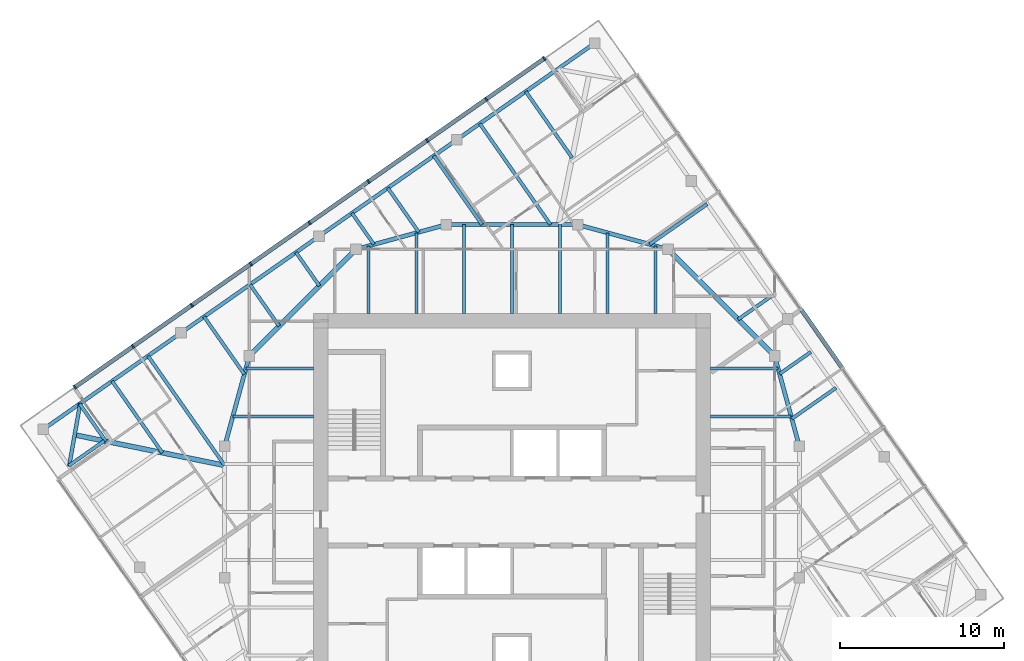
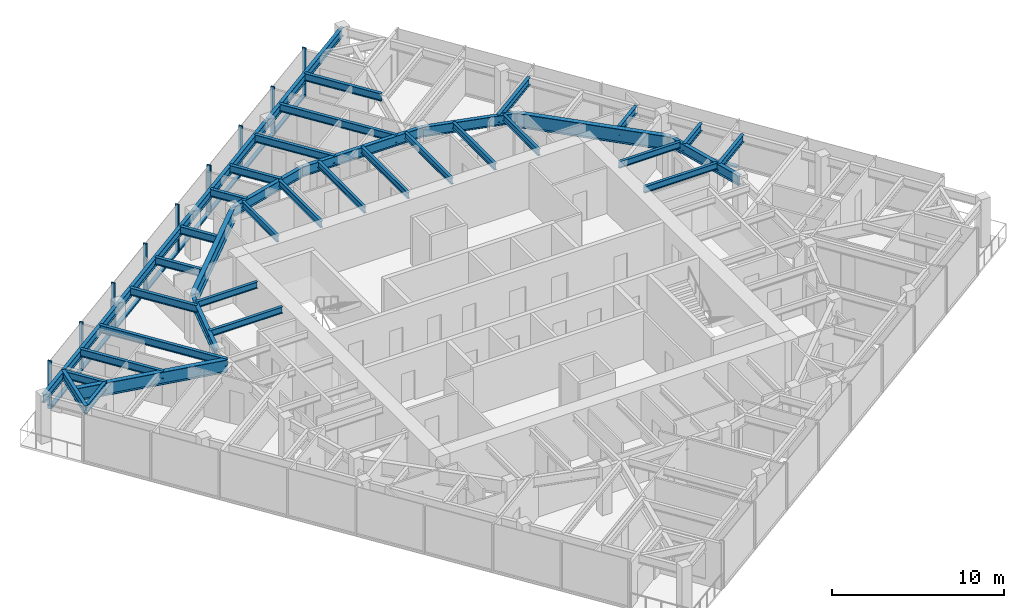
# One storey, part 4 of 12: 40 beams, 18 members, 2 elements without a shape of their own.
"""IFC4 building model written with IfcOpenShell, lengths in metres."""

from ifc_helpers import new_model, si_unit, direction, frame, origin, origin_2d, place, context, subcontext, project, spatial, rectangle, i_section, extrude, material, material_profile, profile_set, type_object, element, aggregate, save


model = new_model("IFC4")

# Units and contexts
model_context = context("Model", 3, precision=1e-05, world=origin(), true_north=direction((0.0, 1.0)))
body_context = subcontext(model_context, "Body", "Model", "MODEL_VIEW")
ifc_project = project(units=[si_unit("LENGTHUNIT", "METRE"), si_unit("AREAUNIT", "SQUARE_METRE"), si_unit("VOLUMEUNIT", "CUBIC_METRE"), si_unit("PLANEANGLEUNIT", "RADIAN"), si_unit("MASSUNIT", "GRAM", prefix="KILO")], contexts=[model_context])

# Site, building, storey
site_placement = place(None, origin())
site = spatial("IfcSite", under=ifc_project, at=site_placement, CompositionType="ELEMENT")
building_placement = place(site_placement, origin())
building = spatial("IfcBuilding", under=site, at=building_placement, Name="Torsade Residences", CompositionType="ELEMENT")
storey_placement = place(building_placement, frame((0.0, 0.0, 250.60009765625)))
storey = spatial("IfcBuildingStorey", under=building, at=storey_placement, Name="L69", CompositionType="ELEMENT", Elevation=250.60009765625)

# Beams
ifc_material_1 = material(Name="Steel grade 300", Category="steel")
ifc_material_profile_1 = material_profile(ifc_material_1, i_section(OverallWidth=0.300048828125, OverallDepth=0.89990234375, WebThickness=0.011962890625, FlangeThickness=0.02490234375, at=origin_2d()), Name="900WB175")
ifc_profile_set_1 = profile_set([ifc_material_profile_1], Name="Steel grade 300")
beam_type_1 = type_object("IfcBeamType", Name="CORNER GIRDER 900WB175", PredefinedType="BEAM", material=ifc_profile_set_1)
beam_1_placement = place(storey_placement, frame((13.364013671875, 34.696533203125, 2.7998046875), z_axis=(0.979880626756, -0.199584461589, 0.0), x_axis=(0.199584461589, 0.979880626756, 0.0)))
element("IfcBeam", 1, at=beam_1_placement, inside=storey, type_object=beam_type_1, Name="Corner girder 13 L70", PredefinedType="BEAM", context=body_context, shape_type="SweptSolid", body=[
    extrude(i_section(OverallWidth=0.300048828125, OverallDepth=0.89990234375, WebThickness=0.011962890625, FlangeThickness=0.02490234375, at=origin_2d()), origin(), (0.0, 0.0, 1.0), 9.323486328125),
])
ifc_material_2 = material(Name="Steel grade 300", Category="steel")
ifc_material_profile_2 = material_profile(ifc_material_2, i_section(OverallWidth=0.22802734375, OverallDepth=0.60205078125, WebThickness=0.010498046875, FlangeThickness=0.014892578125, FilletRadius=0.013916015625, at=origin_2d()), Name="610UB101")
ifc_profile_set_2 = profile_set([ifc_material_profile_2], Name="Steel grade 300")
beam_type_2 = type_object("IfcBeamType", Name="CORNER TRIMMER 610UB101", PredefinedType="BEAM", material=ifc_profile_set_2)
beam_2_placement = place(storey_placement, frame((13.0263671875, 32.78173828125, 2.948974609375), z_axis=(0.173645660267, 0.984808196894, 0.0), x_axis=(-0.984808196894, 0.173645660267, 0.0)))
element("IfcBeam", 2, at=beam_2_placement, inside=storey, type_object=beam_type_2, Name="Corner trimmer 13 L70", PredefinedType="BEAM", context=body_context, shape_type="SweptSolid", body=[
    extrude(i_section(OverallWidth=0.22802734375, OverallDepth=0.60205078125, WebThickness=0.010498046875, FlangeThickness=0.014892578125, FilletRadius=0.013916015625, at=origin_2d()), origin(), (0.0, 0.0, 1.0), 3.888916015625),
])
ifc_material_3 = material(Name="Steel grade 300", Category="steel")
ifc_material_profile_3 = material_profile(ifc_material_3, i_section(OverallWidth=0.22900390625, OverallDepth=0.612060546875, WebThickness=0.011962890625, FlangeThickness=0.01953125, FilletRadius=0.013916015625, at=origin_2d()), Name="610UB125")
ifc_profile_set_3 = profile_set([ifc_material_profile_3], Name="Steel grade 300")
beam_type_3 = type_object("IfcBeamType", Name="EDGE BEAM 610UB125", PredefinedType="SPANDREL", material=ifc_profile_set_3)
for number, where, z_axis, x_axis, name in (
    (3, (45.0341796875, 58.551025390625, 2.94384765625), (-0.819150225126, -0.573579034377, 0.0), (0.573579034377, -0.819150225126, 0.0), "Edge beam 09 L70"),
    (4, (36.637939453125, 52.671875, 2.94384765625), (-0.819150225126, -0.573579034377, 0.0), (0.573579034377, -0.819150225126, 0.0), "Edge beam 10 L70"),
    (5, (28.24169921875, 46.792724609375, 2.94384765625), (-0.819150225126, -0.573579034377, 0.0), (0.573579034377, -0.819150225126, 0.0), "Edge beam 11 L70"),
):
    element("IfcBeam", number, at=place(storey_placement, frame(where, z_axis=z_axis, x_axis=x_axis)), inside=storey, type_object=beam_type_3, Name=name, PredefinedType="SPANDREL", context=body_context, shape_type="SweptSolid", body=[
        extrude(i_section(OverallWidth=0.22900390625, OverallDepth=0.612060546875, WebThickness=0.011962890625, FlangeThickness=0.01953125, FilletRadius=0.013916015625, at=origin_2d()), origin(), (0.0, 0.0, 1.0), 10.25),
    ])
beam_3_placement = place(storey_placement, frame((19.845458984375, 40.91357421875, 2.94384765625), z_axis=(-0.819146870247, -0.573583825578, 0.0), x_axis=(0.573583825578, -0.819146870247, 0.0)))
element("IfcBeam", 6, at=beam_3_placement, inside=storey, type_object=beam_type_3, Name="Edge beam 12 L70", PredefinedType="SPANDREL", context=body_context, shape_type="SweptSolid", body=[
    extrude(i_section(OverallWidth=0.22900390625, OverallDepth=0.612060546875, WebThickness=0.011962890625, FlangeThickness=0.01953125, FilletRadius=0.013916015625, at=origin_2d()), origin(), (0.0, 0.0, 1.0), 10.250244140625),
])

# Curtain wall, members
ifc_material_4 = material(Name="Aluminium and glass", Category="aluminium")
curtain_wall_type = type_object("IfcCurtainWallType", Name="FRITTED GLASS CURTAIN WALL HIGH ZONE", PredefinedType="NOTDEFINED", material=ifc_material_4)
curtain_wall_1_placement = place(storey_placement, origin())
curtain_wall_1 = element("IfcCurtainWall", 7, at=curtain_wall_1_placement, inside=storey, type_object=curtain_wall_type, Name="Curtain wall L69 face 7", PredefinedType="NOTDEFINED")
ifc_material_5 = material(Name="Aluminium mullion", Category="aluminium")
ifc_material_profile_4 = material_profile(ifc_material_5, rectangle(XDim=0.25, YDim=0.10009765625, at=origin_2d()), Name="HIGH ZONE CURTAIN WALL MULLION 250x100")
ifc_profile_set_4 = profile_set([ifc_material_profile_4], Name="Aluminium mullion")
member_type_1 = type_object("IfcMemberType", Name="HIGH ZONE CURTAIN WALL MULLION 250x100", PredefinedType="MULLION", material=ifc_profile_set_4)
member_1_placement = place(storey_placement, frame((41.96240234375, 57.62060546875, 0.0), z_axis=(0.0, 0.0, 1.0), x_axis=(0.573576457682, -0.819152029353, 0.0)))
member_1 = element("IfcMember", 8, at=member_1_placement, type_object=member_type_1, Name="Mullion 1", PredefinedType="MULLION", context=body_context, shape_type="SweptSolid", body=[
    extrude(rectangle(XDim=0.25, YDim=0.10009765625, at=origin_2d()), origin(), (0.0, 0.0, 1.0), 3.39990234375),
])
member_2_placement = place(storey_placement, frame((38.41943359375, 55.139892578125, 0.0), z_axis=(0.0, 0.0, 1.0), x_axis=(0.573576457682, -0.819152029353, 0.0)))
member_2 = element("IfcMember", 9, at=member_2_placement, type_object=member_type_1, Name="Mullion 2", PredefinedType="MULLION", context=body_context, shape_type="SweptSolid", body=[
    extrude(rectangle(XDim=0.25, YDim=0.10009765625, at=origin_2d()), origin(), (0.0, 0.0, 1.0), 3.39990234375),
])
member_3_placement = place(storey_placement, frame((34.835693359375, 52.630615234375, 0.0), z_axis=(0.0, 0.0, 1.0), x_axis=(0.573576457682, -0.819152029353, 0.0)))
member_3 = element("IfcMember", 10, at=member_3_placement, type_object=member_type_1, Name="Mullion 3", PredefinedType="MULLION", context=body_context, shape_type="SweptSolid", body=[
    extrude(rectangle(XDim=0.25, YDim=0.10009765625, at=origin_2d()), origin(), (0.0, 0.0, 1.0), 3.39990234375),
])
member_4_placement = place(storey_placement, frame((31.251953125, 50.12109375, 0.0), z_axis=(0.0, 0.0, 1.0), x_axis=(0.573576457682, -0.819152029353, 0.0)))
member_4 = element("IfcMember", 11, at=member_4_placement, type_object=member_type_1, Name="Mullion 4", PredefinedType="MULLION", context=body_context, shape_type="SweptSolid", body=[
    extrude(rectangle(XDim=0.25, YDim=0.10009765625, at=origin_2d()), origin(), (0.0, 0.0, 1.0), 3.39990234375),
])
member_5_placement = place(storey_placement, frame((27.668212890625, 47.61181640625, 0.0), z_axis=(0.0, 0.0, 1.0), x_axis=(0.573576457682, -0.819152029353, 0.0)))
member_5 = element("IfcMember", 12, at=member_5_placement, type_object=member_type_1, Name="Mullion 5", PredefinedType="MULLION", context=body_context, shape_type="SweptSolid", body=[
    extrude(rectangle(XDim=0.25, YDim=0.10009765625, at=origin_2d()), origin(), (0.0, 0.0, 1.0), 3.39990234375),
])
member_6_placement = place(storey_placement, frame((24.084228515625, 45.102294921875, 0.0), z_axis=(0.0, 0.0, 1.0), x_axis=(0.573576457682, -0.819152029353, 0.0)))
member_6 = element("IfcMember", 13, at=member_6_placement, type_object=member_type_1, Name="Mullion 6", PredefinedType="MULLION", context=body_context, shape_type="SweptSolid", body=[
    extrude(rectangle(XDim=0.25, YDim=0.10009765625, at=origin_2d()), origin(), (0.0, 0.0, 1.0), 3.39990234375),
])
member_7_placement = place(storey_placement, frame((20.50048828125, 42.593017578125, 0.0), z_axis=(0.0, 0.0, 1.0), x_axis=(0.573576457682, -0.819152029353, 0.0)))
member_7 = element("IfcMember", 14, at=member_7_placement, type_object=member_type_1, Name="Mullion 7", PredefinedType="MULLION", context=body_context, shape_type="SweptSolid", body=[
    extrude(rectangle(XDim=0.25, YDim=0.10009765625, at=origin_2d()), origin(), (0.0, 0.0, 1.0), 3.39990234375),
])
member_8_placement = place(storey_placement, frame((16.916748046875, 40.08349609375, 0.0), z_axis=(0.0, 0.0, 1.0), x_axis=(0.573576457682, -0.819152029353, 0.0)))
member_8 = element("IfcMember", 15, at=member_8_placement, type_object=member_type_1, Name="Mullion 8", PredefinedType="MULLION", context=body_context, shape_type="SweptSolid", body=[
    extrude(rectangle(XDim=0.25, YDim=0.10009765625, at=origin_2d()), origin(), (0.0, 0.0, 1.0), 3.39990234375),
])
member_9_placement = place(storey_placement, frame((13.3740234375, 37.602783203125, 0.0), z_axis=(0.0, 0.0, 1.0), x_axis=(0.573576457682, -0.819152029353, 0.0)))
member_9 = element("IfcMember", 16, at=member_9_placement, type_object=member_type_1, Name="Mullion 9", PredefinedType="MULLION", context=body_context, shape_type="SweptSolid", body=[
    extrude(rectangle(XDim=0.25, YDim=0.10009765625, at=origin_2d()), origin(), (0.0, 0.0, 1.0), 3.39990234375),
])

# Curtain wall, member
curtain_wall_2_placement = place(storey_placement, origin())
curtain_wall_2 = element("IfcCurtainWall", 17, at=curtain_wall_2_placement, inside=storey, type_object=curtain_wall_type, Name="Curtain wall L69 face 4", PredefinedType="NOTDEFINED")
ifc_material_6 = material(Name="Aluminium transom", Category="aluminium")
ifc_material_profile_5 = material_profile(ifc_material_6, rectangle(XDim=0.25, YDim=0.1201171875, at=origin_2d()), Name="HIGH ZONE CURTAIN WALL TRANSOM 250x120")
ifc_profile_set_5 = profile_set([ifc_material_profile_5], Name="Aluminium transom")
member_type_2 = type_object("IfcMemberType", Name="HIGH ZONE CURTAIN WALL TRANSOM 250x120", PredefinedType="USERDEFINED", material=ifc_profile_set_5)
member_10_placement = place(storey_placement, frame((60.092529296875, 38.7890625, 0.059814453125), z_axis=(-0.57358498433, 0.819146058863, 0.0), x_axis=(-0.819146058863, -0.57358498433, 0.0)))
member_10 = element("IfcMember", 18, at=member_10_placement, type_object=member_type_2, Name="Transom 4.1", ObjectType="TRANSOM", PredefinedType="USERDEFINED", context=body_context, shape_type="SweptSolid", body=[
    extrude(rectangle(XDim=0.25, YDim=0.1201171875, at=origin_2d()), origin(), (0.0, 0.0, 1.0), 4.275146484375),
])
aggregate(curtain_wall_2, [member_10])

# Member
member_11_placement = place(storey_placement, frame((41.92138671875, 57.592041015625, 0.059814453125), z_axis=(-0.819155901234, -0.573570928023, 0.0), x_axis=(0.573570928023, -0.819155901234, 0.0)))
member_11 = element("IfcMember", 19, at=member_11_placement, type_object=member_type_2, Name="Transom 1.1", ObjectType="TRANSOM", PredefinedType="USERDEFINED", context=body_context, shape_type="SweptSolid", body=[
    extrude(rectangle(XDim=0.25, YDim=0.1201171875, at=origin_2d()), origin(), (0.0, 0.0, 1.0), 4.22509765625),
])

member_12_placement = place(storey_placement, frame((38.37841796875, 55.111328125, 0.059814453125), z_axis=(-0.819127269283, -0.573611817101, 0.0), x_axis=(0.573611817101, -0.819127269283, 0.0)))
member_12 = element("IfcMember", 20, at=member_12_placement, type_object=member_type_2, Name="Transom 2.1", ObjectType="TRANSOM", PredefinedType="USERDEFINED", context=body_context, shape_type="SweptSolid", body=[
    extrude(rectangle(XDim=0.25, YDim=0.1201171875, at=origin_2d()), origin(), (0.0, 0.0, 1.0), 4.27490234375),
])

member_13_placement = place(storey_placement, frame((34.794677734375, 52.601806640625, 0.059814453125), z_axis=(-0.819154102984, -0.573573496219, 0.0), x_axis=(0.573573496219, -0.819154102984, 0.0)))
member_13 = element("IfcMember", 21, at=member_13_placement, type_object=member_type_2, Name="Transom 3.1", ObjectType="TRANSOM", PredefinedType="USERDEFINED", context=body_context, shape_type="SweptSolid", body=[
    extrude(rectangle(XDim=0.25, YDim=0.1201171875, at=origin_2d()), origin(), (0.0, 0.0, 1.0), 4.27490234375),
])

member_14_placement = place(storey_placement, frame((31.2109375, 50.092529296875, 0.059814453125), z_axis=(-0.819146058863, -0.57358498433, 0.0), x_axis=(0.57358498433, -0.819146058863, 0.0)))
member_14 = element("IfcMember", 22, at=member_14_placement, type_object=member_type_2, Name="Transom 4.1", ObjectType="TRANSOM", PredefinedType="USERDEFINED", context=body_context, shape_type="SweptSolid", body=[
    extrude(rectangle(XDim=0.25, YDim=0.1201171875, at=origin_2d()), origin(), (0.0, 0.0, 1.0), 4.275146484375),
])

member_15_placement = place(storey_placement, frame((27.627197265625, 47.5830078125, 0.059814453125), z_axis=(-0.81917289067, -0.573546663483, 0.0), x_axis=(0.573546663483, -0.81917289067, 0.0)))
member_15 = element("IfcMember", 23, at=member_15_placement, type_object=member_type_2, Name="Transom 5.1", ObjectType="TRANSOM", PredefinedType="USERDEFINED", context=body_context, shape_type="SweptSolid", body=[
    extrude(rectangle(XDim=0.25, YDim=0.1201171875, at=origin_2d()), origin(), (0.0, 0.0, 1.0), 4.27490234375),
])

member_16_placement = place(storey_placement, frame((24.04345703125, 45.07373046875, 0.059814453125), z_axis=(-0.819146058863, -0.57358498433, 0.0), x_axis=(0.57358498433, -0.819146058863, 0.0)))
member_16 = element("IfcMember", 24, at=member_16_placement, type_object=member_type_2, Name="Transom 6.1", ObjectType="TRANSOM", PredefinedType="USERDEFINED", context=body_context, shape_type="SweptSolid", body=[
    extrude(rectangle(XDim=0.25, YDim=0.1201171875, at=origin_2d()), origin(), (0.0, 0.0, 1.0), 4.275146484375),
])

member_17_placement = place(storey_placement, frame((20.45947265625, 42.564208984375, 0.059814453125), z_axis=(-0.819154102984, -0.573573496219, 0.0), x_axis=(0.573573496219, -0.819154102984, 0.0)))
member_17 = element("IfcMember", 25, at=member_17_placement, type_object=member_type_2, Name="Transom 7.1", ObjectType="TRANSOM", PredefinedType="USERDEFINED", context=body_context, shape_type="SweptSolid", body=[
    extrude(rectangle(XDim=0.25, YDim=0.1201171875, at=origin_2d()), origin(), (0.0, 0.0, 1.0), 4.27490234375),
])

member_18_placement = place(storey_placement, frame((16.875732421875, 40.054931640625, 0.059814453125), z_axis=(-0.819155901234, -0.573570928023, 0.0), x_axis=(0.573570928023, -0.819155901234, 0.0)))
member_18 = element("IfcMember", 26, at=member_18_placement, type_object=member_type_2, Name="Transom 8.1", ObjectType="TRANSOM", PredefinedType="USERDEFINED", context=body_context, shape_type="SweptSolid", body=[
    extrude(rectangle(XDim=0.25, YDim=0.1201171875, at=origin_2d()), origin(), (0.0, 0.0, 1.0), 4.22509765625),
])

aggregate(curtain_wall_1, [member_1, member_2, member_3, member_4, member_5, member_6, member_7, member_8, member_9, member_11, member_12, member_13, member_14, member_15, member_16, member_17, member_18])

# Beams
ifc_material_7 = material(Name="Steel grade 300", Category="steel")
ifc_material_profile_6 = material_profile(ifc_material_7, i_section(OverallWidth=0.18994140625, OverallDepth=0.4541015625, WebThickness=0.008544921875, FlangeThickness=0.0126953125, FilletRadius=0.011474609375, at=origin_2d()), Name="460UB67.1")
ifc_profile_set_6 = profile_set([ifc_material_profile_6], Name="Steel grade 300")
beam_type_4 = type_object("IfcBeamType", Name="INNER FLOOR BEAM 460UB67.1", PredefinedType="JOIST", material=ifc_profile_set_6)
beam_4_placement = place(storey_placement, frame((31.262451171875, 42.10009765625, 3.02294921875), z_axis=(0.0, 1.0, 0.0), x_axis=(-1.0, 0.0, 0.0)))
element("IfcBeam", 27, at=beam_4_placement, inside=storey, type_object=beam_type_4, Name="Inner floor beam IN01 L70", PredefinedType="JOIST", context=body_context, shape_type="SweptSolid", body=[
    extrude(i_section(OverallWidth=0.18994140625, OverallDepth=0.4541015625, WebThickness=0.008544921875, FlangeThickness=0.0126953125, FilletRadius=0.011474609375, at=origin_2d()), origin(), (0.0, 0.0, 1.0), 4.10791015625),
])
beam_5_placement = place(storey_placement, frame((34.175048828125, 42.10009765625, 3.02294921875), z_axis=(0.0, 1.0, 0.0), x_axis=(-1.0, 0.0, 0.0)))
element("IfcBeam", 28, at=beam_5_placement, inside=storey, type_object=beam_type_4, Name="Inner floor beam IN02 L70", PredefinedType="JOIST", context=body_context, shape_type="SweptSolid", body=[
    extrude(i_section(OverallWidth=0.18994140625, OverallDepth=0.4541015625, WebThickness=0.008544921875, FlangeThickness=0.0126953125, FilletRadius=0.011474609375, at=origin_2d()), origin(), (0.0, 0.0, 1.0), 4.902099609375),
])
for number, where, z_axis, x_axis, name in (
    (29, (37.08740234375, 42.10009765625, 3.02294921875), (0.0, 1.0, 0.0), (-1.0, 0.0, 0.0), "Inner floor beam IN03 L70"),
    (30, (40.0, 42.10009765625, 3.02294921875), (0.0, 1.0, 0.0), (-1.0, 0.0, 0.0), "Inner floor beam IN04 L70"),
    (31, (42.91259765625, 42.10009765625, 3.02294921875), (0.0, 1.0, 0.0), (-1.0, 0.0, 0.0), "Inner floor beam IN05 L70"),
):
    element("IfcBeam", number, at=place(storey_placement, frame(where, z_axis=z_axis, x_axis=x_axis)), inside=storey, type_object=beam_type_4, Name=name, PredefinedType="JOIST", context=body_context, shape_type="SweptSolid", body=[
        extrude(i_section(OverallWidth=0.18994140625, OverallDepth=0.4541015625, WebThickness=0.008544921875, FlangeThickness=0.0126953125, FilletRadius=0.011474609375, at=origin_2d()), origin(), (0.0, 0.0, 1.0), 5.39990234375),
    ])
beam_6_placement = place(storey_placement, frame((45.824951171875, 42.10009765625, 3.02294921875), z_axis=(0.0, 1.0, 0.0), x_axis=(-1.0, 0.0, 0.0)))
element("IfcBeam", 32, at=beam_6_placement, inside=storey, type_object=beam_type_4, Name="Inner floor beam IN06 L70", PredefinedType="JOIST", context=body_context, shape_type="SweptSolid", body=[
    extrude(i_section(OverallWidth=0.18994140625, OverallDepth=0.4541015625, WebThickness=0.008544921875, FlangeThickness=0.0126953125, FilletRadius=0.011474609375, at=origin_2d()), origin(), (0.0, 0.0, 1.0), 4.902099609375),
])
beam_7_placement = place(storey_placement, frame((48.737548828125, 42.10009765625, 3.02294921875), z_axis=(0.0, 1.0, 0.0), x_axis=(-1.0, 0.0, 0.0)))
element("IfcBeam", 33, at=beam_7_placement, inside=storey, type_object=beam_type_4, Name="Inner floor beam IN07 L70", PredefinedType="JOIST", context=body_context, shape_type="SweptSolid", body=[
    extrude(i_section(OverallWidth=0.18994140625, OverallDepth=0.4541015625, WebThickness=0.008544921875, FlangeThickness=0.0126953125, FilletRadius=0.011474609375, at=origin_2d()), origin(), (0.0, 0.0, 1.0), 4.10791015625),
])
beam_8_placement = place(storey_placement, frame((52.10009765625, 35.824951171875, 3.02294921875), z_axis=(1.0, 0.0, 0.0), x_axis=(0.0, 1.0, 0.0)))
element("IfcBeam", 34, at=beam_8_placement, inside=storey, type_object=beam_type_4, Name="Inner floor beam IE06 L70", PredefinedType="JOIST", context=body_context, shape_type="SweptSolid", body=[
    extrude(i_section(OverallWidth=0.18994140625, OverallDepth=0.4541015625, WebThickness=0.008544921875, FlangeThickness=0.0126953125, FilletRadius=0.011474609375, at=origin_2d()), origin(), (0.0, 0.0, 1.0), 4.902099609375),
])
for number, where, z_axis, x_axis, name in (
    (35, (52.10009765625, 38.737548828125, 3.02294921875), (1.0, 0.0, 0.0), (0.0, 1.0, 0.0), "Inner floor beam IE07 L70"),
    (36, (27.89990234375, 38.737548828125, 3.02294921875), (-1.0, 0.0, 0.0), (0.0, -1.0, 0.0), "Inner floor beam IW01 L70"),
):
    element("IfcBeam", number, at=place(storey_placement, frame(where, z_axis=z_axis, x_axis=x_axis)), inside=storey, type_object=beam_type_4, Name=name, PredefinedType="JOIST", context=body_context, shape_type="SweptSolid", body=[
        extrude(i_section(OverallWidth=0.18994140625, OverallDepth=0.4541015625, WebThickness=0.008544921875, FlangeThickness=0.0126953125, FilletRadius=0.011474609375, at=origin_2d()), origin(), (0.0, 0.0, 1.0), 4.10791015625),
    ])
beam_9_placement = place(storey_placement, frame((27.89990234375, 35.824951171875, 3.02294921875), z_axis=(-1.0, 0.0, 0.0), x_axis=(0.0, -1.0, 0.0)))
element("IfcBeam", 37, at=beam_9_placement, inside=storey, type_object=beam_type_4, Name="Inner floor beam IW02 L70", PredefinedType="JOIST", context=body_context, shape_type="SweptSolid", body=[
    extrude(i_section(OverallWidth=0.18994140625, OverallDepth=0.4541015625, WebThickness=0.008544921875, FlangeThickness=0.0126953125, FilletRadius=0.011474609375, at=origin_2d()), origin(), (0.0, 0.0, 1.0), 4.902099609375),
])
ifc_material_8 = material(Name="Steel grade 300", Category="steel")
ifc_material_profile_7 = material_profile(ifc_material_8, i_section(OverallWidth=0.300048828125, OverallDepth=1.0, WebThickness=0.01611328125, FlangeThickness=0.028076171875, at=origin_2d()), Name="1000WB215")
ifc_profile_set_7 = profile_set([ifc_material_profile_7], Name="Steel grade 300")
beam_type_5 = type_object("IfcBeamType", Name="RING CORNER GIRDER 1000WB215", PredefinedType="BEAM", material=ifc_profile_set_7)
for number, where, z_axis, x_axis, name in (
    (38, (56.0, 39.5, 2.75), (-0.707106781187, 0.707106781187, 0.0), (-0.707106781187, -0.707106781187, 0.0), "Ring girder IR03 L70"),
    (39, (30.5, 46.0, 2.75), (-0.707106781187, -0.707106781187, 0.0), (0.707106781187, -0.707106781187, 0.0), "Ring girder IR07 L70"),
):
    element("IfcBeam", number, at=place(storey_placement, frame(where, z_axis=z_axis, x_axis=x_axis)), inside=storey, type_object=beam_type_5, Name=name, PredefinedType="BEAM", context=body_context, shape_type="SweptSolid", body=[
        extrude(i_section(OverallWidth=0.300048828125, OverallDepth=1.0, WebThickness=0.01611328125, FlangeThickness=0.028076171875, at=origin_2d()), origin(), (0.0, 0.0, 1.0), 9.1923828125),
    ])
ifc_material_9 = material(Name="Steel grade 300", Category="steel")
ifc_material_profile_8 = material_profile(ifc_material_9, i_section(OverallWidth=0.25, OverallDepth=0.699951171875, WebThickness=0.010009765625, FlangeThickness=0.02001953125, at=origin_2d()), Name="700WB130")
ifc_profile_set_8 = profile_set([ifc_material_profile_8], Name="Steel grade 300")
beam_type_6 = type_object("IfcBeamType", Name="RING GIRDER 700WB130", PredefinedType="BEAM", material=ifc_profile_set_8)
for number, where, z_axis, x_axis, name in (
    (40, (57.5, 34.0, 2.89990234375), (-0.263117405792, 0.964763821238, 0.0), (-0.964763821238, -0.263117405792, 0.0), "Ring girder IR02 L70"),
    (41, (49.5, 46.0, 2.89990234375), (-0.964763821238, 0.263117405792, 0.0), (-0.263117405792, -0.964763821238, 0.0), "Ring girder IR04 L70"),
):
    element("IfcBeam", number, at=place(storey_placement, frame(where, z_axis=z_axis, x_axis=x_axis)), inside=storey, type_object=beam_type_6, Name=name, PredefinedType="BEAM", context=body_context, shape_type="SweptSolid", body=[
        extrude(i_section(OverallWidth=0.25, OverallDepth=0.699951171875, WebThickness=0.010009765625, FlangeThickness=0.02001953125, at=origin_2d()), origin(), (0.0, 0.0, 1.0), 5.700927734375),
    ])
beam_10_placement = place(storey_placement, frame((44.0, 47.5, 2.89990234375), z_axis=(-1.0, 0.0, 0.0), x_axis=(0.0, -1.0, 0.0)))
element("IfcBeam", 42, at=beam_10_placement, inside=storey, type_object=beam_type_6, Name="Ring girder IR05 L70", PredefinedType="BEAM", context=body_context, shape_type="SweptSolid", body=[
    extrude(i_section(OverallWidth=0.25, OverallDepth=0.699951171875, WebThickness=0.010009765625, FlangeThickness=0.02001953125, at=origin_2d()), origin(), (0.0, 0.0, 1.0), 8.0),
])
for number, where, z_axis, x_axis, name in (
    (43, (36.0, 47.5, 2.89990234375), (-0.964763821238, -0.263117405792, 0.0), (0.263117405792, -0.964763821238, 0.0), "Ring girder IR06 L70"),
    (44, (24.0, 39.5, 2.89990234375), (-0.263117405792, -0.964763821238, 0.0), (0.964763821238, -0.263117405792, 0.0), "Ring girder IR08 L70"),
):
    element("IfcBeam", number, at=place(storey_placement, frame(where, z_axis=z_axis, x_axis=x_axis)), inside=storey, type_object=beam_type_6, Name=name, PredefinedType="BEAM", context=body_context, shape_type="SweptSolid", body=[
        extrude(i_section(OverallWidth=0.25, OverallDepth=0.699951171875, WebThickness=0.010009765625, FlangeThickness=0.02001953125, at=origin_2d()), origin(), (0.0, 0.0, 1.0), 5.700927734375),
    ])
ifc_material_10 = material(Name="Steel grade 300", Category="steel")
ifc_material_profile_9 = material_profile(ifc_material_10, i_section(OverallWidth=0.208984375, OverallDepth=0.532958984375, WebThickness=0.01025390625, FlangeThickness=0.015625, FilletRadius=0.013916015625, at=origin_2d()), Name="530UB92.4")
ifc_profile_set_9 = profile_set([ifc_material_profile_9], Name="Steel grade 300")
beam_type_7 = type_object("IfcBeamType", Name="SECONDARY BEAM 530UB92.4", PredefinedType="JOIST", material=ifc_profile_set_9)
beam_11_placement = place(storey_placement, frame((59.732177734375, 37.56005859375, 2.9833984375), z_axis=(-0.819169032504, -0.573552173902, 0.0), x_axis=(0.573552173902, -0.819169032504, 0.0)))
element("IfcBeam", 45, at=beam_11_placement, inside=storey, type_object=beam_type_7, Name="Floor beam FE05 L70", PredefinedType="JOIST", context=body_context, shape_type="SweptSolid", body=[
    extrude(i_section(OverallWidth=0.208984375, OverallDepth=0.532958984375, WebThickness=0.01025390625, FlangeThickness=0.015625, FilletRadius=0.013916015625, at=origin_2d()), origin(), (0.0, 0.0, 1.0), 3.283203125),
])
beam_12_placement = place(storey_placement, frame((58.20263671875, 39.74462890625, 2.9833984375), z_axis=(-0.819157953557, -0.573567996949, 0.0), x_axis=(0.573567996949, -0.819157953557, 0.0)))
element("IfcBeam", 46, at=beam_12_placement, inside=storey, type_object=beam_type_7, Name="Floor beam FE06 L70", PredefinedType="JOIST", context=body_context, shape_type="SweptSolid", body=[
    extrude(i_section(OverallWidth=0.208984375, OverallDepth=0.532958984375, WebThickness=0.01025390625, FlangeThickness=0.015625, FilletRadius=0.013916015625, at=origin_2d()), origin(), (0.0, 0.0, 1.0), 2.326171875),
])
beam_13_placement = place(storey_placement, frame((55.812744140625, 43.15771484375, 2.9833984375), z_axis=(-0.819172078752, -0.573547823109, 0.0), x_axis=(0.573547823109, -0.819172078752, 0.0)))
element("IfcBeam", 47, at=beam_13_placement, inside=storey, type_object=beam_type_7, Name="Floor beam FE07 L70", PredefinedType="JOIST", context=body_context, shape_type="SweptSolid", body=[
    extrude(i_section(OverallWidth=0.208984375, OverallDepth=0.532958984375, WebThickness=0.01025390625, FlangeThickness=0.015625, FilletRadius=0.013916015625, at=origin_2d()), origin(), (0.0, 0.0, 1.0), 2.491943359375),
])
beam_14_placement = place(storey_placement, frame((51.893310546875, 48.755126953125, 2.9833984375), z_axis=(-0.819148759439, -0.573581127575, 0.0), x_axis=(0.573581127575, -0.819148759439, 0.0)))
element("IfcBeam", 48, at=beam_14_placement, inside=storey, type_object=beam_type_7, Name="Floor beam FE09 L70", PredefinedType="JOIST", context=body_context, shape_type="SweptSolid", body=[
    extrude(i_section(OverallWidth=0.208984375, OverallDepth=0.532958984375, WebThickness=0.01025390625, FlangeThickness=0.015625, FilletRadius=0.013916015625, at=origin_2d()), origin(), (0.0, 0.0, 1.0), 4.276123046875),
])
beam_15_placement = place(storey_placement, frame((40.836181640625, 55.611328125, 2.9833984375), z_axis=(0.573575295634, -0.819152843027, 0.0), x_axis=(0.819152843027, 0.573575295634, 0.0)))
element("IfcBeam", 49, at=beam_15_placement, inside=storey, type_object=beam_type_7, Name="Floor beam FN02 L70", PredefinedType="JOIST", context=body_context, shape_type="SweptSolid", body=[
    extrude(i_section(OverallWidth=0.208984375, OverallDepth=0.532958984375, WebThickness=0.01025390625, FlangeThickness=0.015625, FilletRadius=0.013916015625, at=origin_2d()), origin(), (0.0, 0.0, 1.0), 4.931884765625),
])
beam_16_placement = place(storey_placement, frame((38.037353515625, 53.651611328125, 2.9833984375), z_axis=(0.573573614851, -0.819154019917, 0.0), x_axis=(0.819154019917, 0.573573614851, 0.0)))
element("IfcBeam", 50, at=beam_16_placement, inside=storey, type_object=beam_type_7, Name="Floor beam FN03 L70", PredefinedType="JOIST", context=body_context, shape_type="SweptSolid", body=[
    extrude(i_section(OverallWidth=0.208984375, OverallDepth=0.532958984375, WebThickness=0.01025390625, FlangeThickness=0.015625, FilletRadius=0.013916015625, at=origin_2d()), origin(), (0.0, 0.0, 1.0), 7.509765625),
])
beam_17_placement = place(storey_placement, frame((35.238525390625, 51.69189453125, 2.9833984375), z_axis=(0.573590411882, -0.819142258339, 0.0), x_axis=(0.819142258339, 0.573590411882, 0.0)))
element("IfcBeam", 51, at=beam_17_placement, inside=storey, type_object=beam_type_7, Name="Floor beam FN04 L70", PredefinedType="JOIST", context=body_context, shape_type="SweptSolid", body=[
    extrude(i_section(OverallWidth=0.208984375, OverallDepth=0.532958984375, WebThickness=0.01025390625, FlangeThickness=0.015625, FilletRadius=0.013916015625, at=origin_2d()), origin(), (0.0, 0.0, 1.0), 5.117431640625),
])
beam_18_placement = place(storey_placement, frame((32.43994140625, 49.732177734375, 2.9833984375), z_axis=(0.573552173902, -0.819169032504, 0.0), x_axis=(0.819169032504, 0.573552173902, 0.0)))
element("IfcBeam", 52, at=beam_18_placement, inside=storey, type_object=beam_type_7, Name="Floor beam FN05 L70", PredefinedType="JOIST", context=body_context, shape_type="SweptSolid", body=[
    extrude(i_section(OverallWidth=0.208984375, OverallDepth=0.532958984375, WebThickness=0.01025390625, FlangeThickness=0.015625, FilletRadius=0.013916015625, at=origin_2d()), origin(), (0.0, 0.0, 1.0), 3.283203125),
])
beam_19_placement = place(storey_placement, frame((30.25537109375, 48.20263671875, 2.9833984375), z_axis=(0.573567996949, -0.819157953557, 0.0), x_axis=(0.819157953557, 0.573567996949, 0.0)))
element("IfcBeam", 53, at=beam_19_placement, inside=storey, type_object=beam_type_7, Name="Floor beam FN06 L70", PredefinedType="JOIST", context=body_context, shape_type="SweptSolid", body=[
    extrude(i_section(OverallWidth=0.208984375, OverallDepth=0.532958984375, WebThickness=0.01025390625, FlangeThickness=0.015625, FilletRadius=0.013916015625, at=origin_2d()), origin(), (0.0, 0.0, 1.0), 2.326171875),
])
beam_20_placement = place(storey_placement, frame((26.84228515625, 45.812744140625, 2.9833984375), z_axis=(0.573547823109, -0.819172078752, 0.0), x_axis=(0.819172078752, 0.573547823109, 0.0)))
element("IfcBeam", 54, at=beam_20_placement, inside=storey, type_object=beam_type_7, Name="Floor beam FN07 L70", PredefinedType="JOIST", context=body_context, shape_type="SweptSolid", body=[
    extrude(i_section(OverallWidth=0.208984375, OverallDepth=0.532958984375, WebThickness=0.01025390625, FlangeThickness=0.015625, FilletRadius=0.013916015625, at=origin_2d()), origin(), (0.0, 0.0, 1.0), 2.491943359375),
])
beam_21_placement = place(storey_placement, frame((24.04345703125, 43.85302734375, 2.9833984375), z_axis=(0.573600013401, -0.819135534955, 0.0), x_axis=(0.819135534955, 0.573600013401, 0.0)))
element("IfcBeam", 55, at=beam_21_placement, inside=storey, type_object=beam_type_7, Name="Floor beam FN08 L70", PredefinedType="JOIST", context=body_context, shape_type="SweptSolid", body=[
    extrude(i_section(OverallWidth=0.208984375, OverallDepth=0.532958984375, WebThickness=0.01025390625, FlangeThickness=0.015625, FilletRadius=0.013916015625, at=origin_2d()), origin(), (0.0, 0.0, 1.0), 3.09423828125),
])
beam_22_placement = place(storey_placement, frame((21.244873046875, 41.893310546875, 2.9833984375), z_axis=(0.573581127575, -0.819148759439, 0.0), x_axis=(0.819148759439, 0.573581127575, 0.0)))
element("IfcBeam", 56, at=beam_22_placement, inside=storey, type_object=beam_type_7, Name="Floor beam FN09 L70", PredefinedType="JOIST", context=body_context, shape_type="SweptSolid", body=[
    extrude(i_section(OverallWidth=0.208984375, OverallDepth=0.532958984375, WebThickness=0.01025390625, FlangeThickness=0.015625, FilletRadius=0.013916015625, at=origin_2d()), origin(), (0.0, 0.0, 1.0), 4.276123046875),
])
beam_23_placement = place(storey_placement, frame((17.83154296875, 39.50341796875, 2.9833984375), z_axis=(0.573577087251, -0.819151588523, 0.0), x_axis=(0.819151588523, 0.573577087251, 0.0)))
element("IfcBeam", 57, at=beam_23_placement, inside=storey, type_object=beam_type_7, Name="Floor beam FN10 L70", PredefinedType="JOIST", context=body_context, shape_type="SweptSolid", body=[
    extrude(i_section(OverallWidth=0.208984375, OverallDepth=0.532958984375, WebThickness=0.01025390625, FlangeThickness=0.015625, FilletRadius=0.013916015625, at=origin_2d()), origin(), (0.0, 0.0, 1.0), 8.13916015625),
])
beam_24_placement = place(storey_placement, frame((15.647216796875, 37.973876953125, 2.9833984375), z_axis=(0.573597638513, -0.819137197966, 0.0), x_axis=(0.819137197966, 0.573597638513, 0.0)))
element("IfcBeam", 58, at=beam_24_placement, inside=storey, type_object=beam_type_7, Name="Floor beam FN11 L70", PredefinedType="JOIST", context=body_context, shape_type="SweptSolid", body=[
    extrude(i_section(OverallWidth=0.208984375, OverallDepth=0.532958984375, WebThickness=0.01025390625, FlangeThickness=0.015625, FilletRadius=0.013916015625, at=origin_2d()), origin(), (0.0, 0.0, 1.0), 5.328369140625),
])
beam_25_placement = place(storey_placement, frame((13.667724609375, 36.587646484375, 2.9833984375), z_axis=(0.573521270253, -0.819190669238, 0.0), x_axis=(0.819190669238, 0.573521270253, 0.0)))
element("IfcBeam", 59, at=beam_25_placement, inside=storey, type_object=beam_type_7, Name="Floor beam FN12 L70", PredefinedType="JOIST", context=body_context, shape_type="SweptSolid", body=[
    extrude(i_section(OverallWidth=0.208984375, OverallDepth=0.532958984375, WebThickness=0.01025390625, FlangeThickness=0.015625, FilletRadius=0.013916015625, at=origin_2d()), origin(), (0.0, 0.0, 1.0), 2.780517578125),
])
beam_26_placement = place(storey_placement, frame((13.00244140625, 32.815673828125, 2.9833984375), z_axis=(0.819140666445, 0.573592685254, 0.0), x_axis=(-0.573592685254, 0.819140666445, 0.0)))
element("IfcBeam", 60, at=beam_26_placement, inside=storey, type_object=beam_type_7, Name="Floor beam FW01 L70", PredefinedType="JOIST", context=body_context, shape_type="SweptSolid", body=[
    extrude(i_section(OverallWidth=0.208984375, OverallDepth=0.532958984375, WebThickness=0.01025390625, FlangeThickness=0.015625, FilletRadius=0.013916015625, at=origin_2d()), origin(), (0.0, 0.0, 1.0), 2.639892578125),
])

save(model, "model.ifc")
